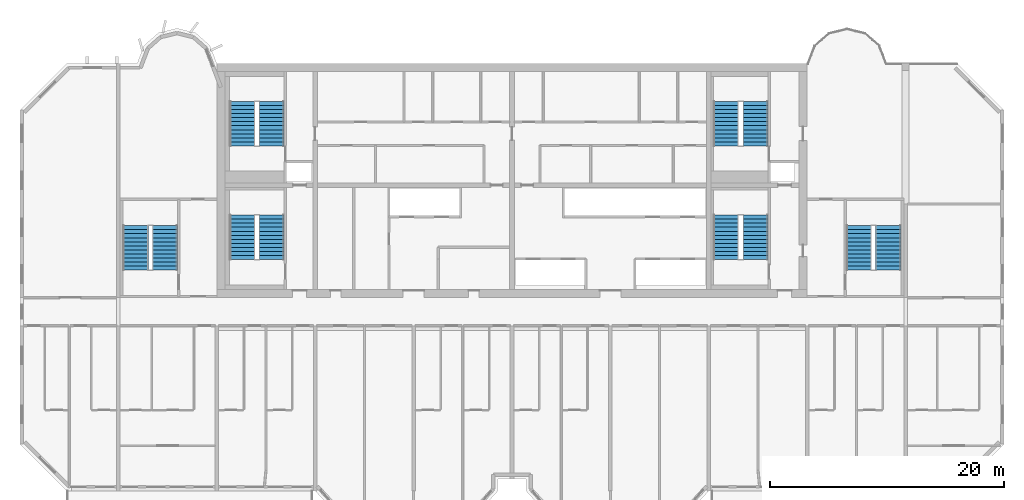
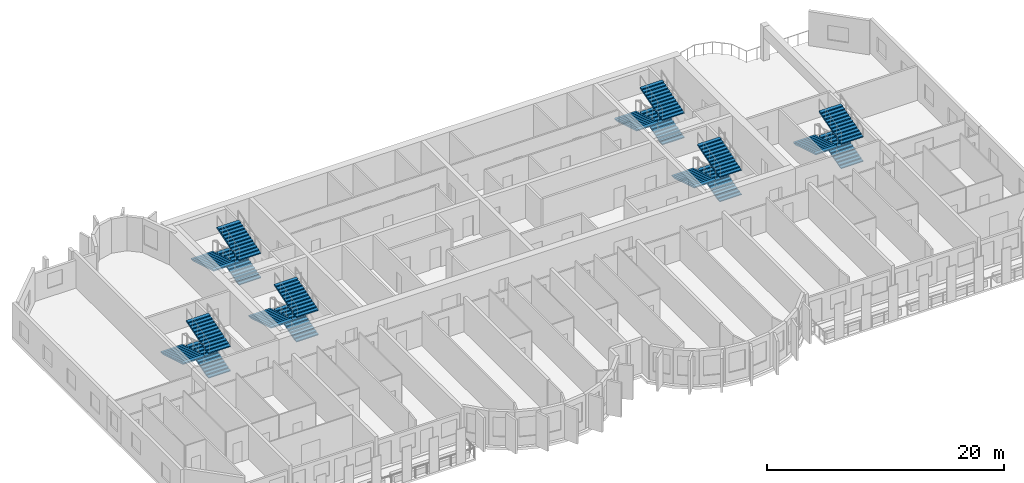
# One storey, part 10 of 13: 18 stair flights, 6 elements without a shape of their own.
"""IFC4 building model written with IfcOpenShell, lengths in metres."""

from ifc_helpers import new_model, si_unit, direction, frame, origin, place, context, subcontext, project, spatial, polyline, outline, extrude, source, transform, mapped, material, type_object, element, aggregate, save


model = new_model("IFC4")

# Units and contexts
model_context = context("Model", 3, precision=1e-05, world=origin(), true_north=direction((0.0, 1.0)))
body_context = subcontext(model_context, "Body", "Model", "MODEL_VIEW")
ifc_project = project(units=[si_unit("LENGTHUNIT", "METRE"), si_unit("AREAUNIT", "SQUARE_METRE"), si_unit("VOLUMEUNIT", "CUBIC_METRE"), si_unit("PLANEANGLEUNIT", "RADIAN"), si_unit("MASSUNIT", "GRAM", prefix="KILO")], contexts=[model_context])

# Site, building, storey
site_placement = place(None, origin())
site = spatial("IfcSite", under=ifc_project, at=site_placement, CompositionType="ELEMENT")
building_placement = place(site_placement, origin())
building = spatial("IfcBuilding", under=site, at=building_placement, Name="Vanashikhar Sky Hotel", CompositionType="ELEMENT")
storey_placement = place(building_placement, frame((0.0, 0.0, 170.60009765625)))
storey = spatial("IfcBuildingStorey", under=building, at=storey_placement, Name="L41", CompositionType="ELEMENT", Elevation=170.60009765625)

# Stair, stair flights
ifc_material = material(Name="Concrete M40", Category="concrete")
stair_type = type_object("IfcStairType", Name="Exit stair 2150", PredefinedType="DOUBLE_RETURN_STAIR", material=ifc_material)
stair_1_placement = place(storey_placement, origin())
stair_1 = element("IfcStair", 1, at=stair_1_placement, inside=storey, type_object=stair_type, Name="L41 Exit stair 1", PredefinedType="DOUBLE_RETURN_STAIR")
stair_flight_type = type_object("IfcStairFlightType", Name="Stair flight 2150", PredefinedType="STRAIGHT", material=ifc_material)
shared_shape = source(origin(), body_context, "Body", "SweptSolid", [
    extrude(outline(polyline([(0.0, 0.0), (0.0, 0.10546875), (0.345458984375, 0.10546875), (0.345458984375, 0.211181640625), (0.69091796875, 0.211181640625), (0.69091796875, 0.316650390625), (1.036376953125, 0.316650390625), (1.036376953125, 0.422119140625), (1.3818359375, 0.422119140625), (1.3818359375, 0.52783203125), (1.727294921875, 0.52783203125), (1.727294921875, 0.63330078125), (2.07275390625, 0.63330078125), (2.07275390625, 0.73876953125), (2.418212890625, 0.73876953125), (2.418212890625, 0.844482421875), (2.763671875, 0.844482421875), (2.763671875, 0.949951171875), (3.109130859375, 0.949951171875), (3.109130859375, 1.0556640625), (3.45458984375, 1.0556640625), (3.45458984375, 1.1611328125), (3.800048828125, 1.1611328125), (3.800048828125, 1.2666015625), (3.800048828125, 1.035400390625), (0.4111328125, 0.0), (0.0, 0.0)])), frame((0.0, 1.074951171875, 0.0), z_axis=(0.0, -1.0, 0.0), x_axis=(1.0, 0.0, 0.0)), (0.0, 0.0, 1.0), 2.14990234375),
])
stair_flight_1_placement = place(storey_placement, frame((29.875, 25.25, 0.0), z_axis=(0.0, 0.0, 1.0), x_axis=(0.0, 1.0, 0.0)))
stair_flight_1 = element("IfcStairFlight", 2, at=stair_flight_1_placement, type_object=stair_flight_type, Name="ST-C1 flight 1", NumberOfRisers=12, NumberOfTreads=11, PredefinedType="STRAIGHT", RiserHeight=0.105555556, TreadLength=0.345454545, context=body_context, shape_type="MappedRepresentation", body=[
    mapped(shared_shape, transform((0.0, 0.0, 0.0), scale=1.0)),
])
stair_flight_2_placement = place(storey_placement, frame((27.375, 29.050048828125, 1.2666015625), z_axis=(0.0, 0.0, 1.0), x_axis=(0.0, -1.0, 0.0)))
stair_flight_2 = element("IfcStairFlight", 3, at=stair_flight_2_placement, type_object=stair_flight_type, Name="ST-C1 flight 2", NumberOfRisers=12, NumberOfTreads=11, PredefinedType="STRAIGHT", RiserHeight=0.105555556, TreadLength=0.345454545, context=body_context, shape_type="MappedRepresentation", body=[
    mapped(shared_shape, transform((0.0, 0.0, 0.0), scale=1.0)),
])
stair_flight_3_placement = place(storey_placement, frame((29.875, 25.25, 2.533203125), z_axis=(0.0, 0.0, 1.0), x_axis=(0.0, 1.0, 0.0)))
stair_flight_3 = element("IfcStairFlight", 4, at=stair_flight_3_placement, type_object=stair_flight_type, Name="ST-C1 flight 3", NumberOfRisers=12, NumberOfTreads=11, PredefinedType="STRAIGHT", RiserHeight=0.105555556, TreadLength=0.345454545, context=body_context, shape_type="MappedRepresentation", body=[
    mapped(shared_shape, transform((0.0, 0.0, 0.0), scale=1.0)),
])
aggregate(stair_1, [stair_flight_1, stair_flight_2, stair_flight_3])

stair_2_placement = place(storey_placement, origin())
stair_2 = element("IfcStair", 5, at=stair_2_placement, inside=storey, type_object=stair_type, Name="L41 Exit stair 2", PredefinedType="DOUBLE_RETURN_STAIR")
stair_flight_4_placement = place(storey_placement, frame((71.175048828125, 25.25, 0.0), z_axis=(0.0, 0.0, 1.0), x_axis=(0.0, 1.0, 0.0)))
stair_flight_4 = element("IfcStairFlight", 6, at=stair_flight_4_placement, type_object=stair_flight_type, Name="ST-C2 flight 1", NumberOfRisers=12, NumberOfTreads=11, PredefinedType="STRAIGHT", RiserHeight=0.105555556, TreadLength=0.345454545, context=body_context, shape_type="MappedRepresentation", body=[
    mapped(shared_shape, transform((0.0, 0.0, 0.0), scale=1.0)),
])
stair_flight_5_placement = place(storey_placement, frame((68.675048828125, 29.050048828125, 1.2666015625), z_axis=(0.0, 0.0, 1.0), x_axis=(0.0, -1.0, 0.0)))
stair_flight_5 = element("IfcStairFlight", 7, at=stair_flight_5_placement, type_object=stair_flight_type, Name="ST-C2 flight 2", NumberOfRisers=12, NumberOfTreads=11, PredefinedType="STRAIGHT", RiserHeight=0.105555556, TreadLength=0.345454545, context=body_context, shape_type="MappedRepresentation", body=[
    mapped(shared_shape, transform((0.0, 0.0, 0.0), scale=1.0)),
])
stair_flight_6_placement = place(storey_placement, frame((71.175048828125, 25.25, 2.533203125), z_axis=(0.0, 0.0, 1.0), x_axis=(0.0, 1.0, 0.0)))
stair_flight_6 = element("IfcStairFlight", 8, at=stair_flight_6_placement, type_object=stair_flight_type, Name="ST-C2 flight 3", NumberOfRisers=12, NumberOfTreads=11, PredefinedType="STRAIGHT", RiserHeight=0.105555556, TreadLength=0.345454545, context=body_context, shape_type="MappedRepresentation", body=[
    mapped(shared_shape, transform((0.0, 0.0, 0.0), scale=1.0)),
])
aggregate(stair_2, [stair_flight_4, stair_flight_5, stair_flight_6])

stair_3_placement = place(storey_placement, origin())
stair_3 = element("IfcStair", 9, at=stair_3_placement, inside=storey, type_object=stair_type, Name="L41 Exit stair 3", PredefinedType="DOUBLE_RETURN_STAIR")
stair_flight_7_placement = place(storey_placement, frame((20.77490234375, 24.35009765625, 0.0), z_axis=(0.0, 0.0, 1.0), x_axis=(0.0, 1.0, 0.0)))
stair_flight_7 = element("IfcStairFlight", 10, at=stair_flight_7_placement, type_object=stair_flight_type, Name="ST-W flight 1", NumberOfRisers=12, NumberOfTreads=11, PredefinedType="STRAIGHT", RiserHeight=0.105555556, TreadLength=0.345454545, context=body_context, shape_type="MappedRepresentation", body=[
    mapped(shared_shape, transform((0.0, 0.0, 0.0), scale=1.0)),
])
stair_flight_8_placement = place(storey_placement, frame((18.27490234375, 28.14990234375, 1.2666015625), z_axis=(0.0, 0.0, 1.0), x_axis=(0.0, -1.0, 0.0)))
stair_flight_8 = element("IfcStairFlight", 11, at=stair_flight_8_placement, type_object=stair_flight_type, Name="ST-W flight 2", NumberOfRisers=12, NumberOfTreads=11, PredefinedType="STRAIGHT", RiserHeight=0.105555556, TreadLength=0.345454545, context=body_context, shape_type="MappedRepresentation", body=[
    mapped(shared_shape, transform((0.0, 0.0, 0.0), scale=1.0)),
])
stair_flight_9_placement = place(storey_placement, frame((20.77490234375, 24.35009765625, 2.533203125), z_axis=(0.0, 0.0, 1.0), x_axis=(0.0, 1.0, 0.0)))
stair_flight_9 = element("IfcStairFlight", 12, at=stair_flight_9_placement, type_object=stair_flight_type, Name="ST-W flight 3", NumberOfRisers=12, NumberOfTreads=11, PredefinedType="STRAIGHT", RiserHeight=0.105555556, TreadLength=0.345454545, context=body_context, shape_type="MappedRepresentation", body=[
    mapped(shared_shape, transform((0.0, 0.0, 0.0), scale=1.0)),
])
aggregate(stair_3, [stair_flight_7, stair_flight_8, stair_flight_9])

stair_4_placement = place(storey_placement, origin())
stair_4 = element("IfcStair", 13, at=stair_4_placement, inside=storey, type_object=stair_type, Name="L41 Exit stair 4", PredefinedType="DOUBLE_RETURN_STAIR")
stair_flight_10_placement = place(storey_placement, frame((82.52490234375, 24.35009765625, 0.0), z_axis=(0.0, 0.0, 1.0), x_axis=(0.0, 1.0, 0.0)))
stair_flight_10 = element("IfcStairFlight", 14, at=stair_flight_10_placement, type_object=stair_flight_type, Name="ST-E flight 1", NumberOfRisers=12, NumberOfTreads=11, PredefinedType="STRAIGHT", RiserHeight=0.105555556, TreadLength=0.345454545, context=body_context, shape_type="MappedRepresentation", body=[
    mapped(shared_shape, transform((0.0, 0.0, 0.0), scale=1.0)),
])
stair_flight_11_placement = place(storey_placement, frame((80.02490234375, 28.14990234375, 1.2666015625), z_axis=(0.0, 0.0, 1.0), x_axis=(0.0, -1.0, 0.0)))
stair_flight_11 = element("IfcStairFlight", 15, at=stair_flight_11_placement, type_object=stair_flight_type, Name="ST-E flight 2", NumberOfRisers=12, NumberOfTreads=11, PredefinedType="STRAIGHT", RiserHeight=0.105555556, TreadLength=0.345454545, context=body_context, shape_type="MappedRepresentation", body=[
    mapped(shared_shape, transform((0.0, 0.0, 0.0), scale=1.0)),
])
stair_flight_12_placement = place(storey_placement, frame((82.52490234375, 24.35009765625, 2.533203125), z_axis=(0.0, 0.0, 1.0), x_axis=(0.0, 1.0, 0.0)))
stair_flight_12 = element("IfcStairFlight", 16, at=stair_flight_12_placement, type_object=stair_flight_type, Name="ST-E flight 3", NumberOfRisers=12, NumberOfTreads=11, PredefinedType="STRAIGHT", RiserHeight=0.105555556, TreadLength=0.345454545, context=body_context, shape_type="MappedRepresentation", body=[
    mapped(shared_shape, transform((0.0, 0.0, 0.0), scale=1.0)),
])
aggregate(stair_4, [stair_flight_10, stair_flight_11, stair_flight_12])

stair_5_placement = place(storey_placement, origin())
stair_5 = element("IfcStair", 17, at=stair_5_placement, inside=storey, type_object=stair_type, Name="L41 Exit stair 5", PredefinedType="DOUBLE_RETURN_STAIR")
stair_flight_13_placement = place(storey_placement, frame((29.875, 34.949951171875, 0.0), z_axis=(0.0, 0.0, 1.0), x_axis=(0.0, 1.0, 0.0)))
stair_flight_13 = element("IfcStairFlight", 18, at=stair_flight_13_placement, type_object=stair_flight_type, Name="ST-C3 flight 1", NumberOfRisers=12, NumberOfTreads=11, PredefinedType="STRAIGHT", RiserHeight=0.105555556, TreadLength=0.345454545, context=body_context, shape_type="MappedRepresentation", body=[
    mapped(shared_shape, transform((0.0, 0.0, 0.0), scale=1.0)),
])
stair_flight_14_placement = place(storey_placement, frame((27.375, 38.75, 1.2666015625), z_axis=(0.0, 0.0, 1.0), x_axis=(0.0, -1.0, 0.0)))
stair_flight_14 = element("IfcStairFlight", 19, at=stair_flight_14_placement, type_object=stair_flight_type, Name="ST-C3 flight 2", NumberOfRisers=12, NumberOfTreads=11, PredefinedType="STRAIGHT", RiserHeight=0.105555556, TreadLength=0.345454545, context=body_context, shape_type="MappedRepresentation", body=[
    mapped(shared_shape, transform((0.0, 0.0, 0.0), scale=1.0)),
])
stair_flight_15_placement = place(storey_placement, frame((29.875, 34.949951171875, 2.533203125), z_axis=(0.0, 0.0, 1.0), x_axis=(0.0, 1.0, 0.0)))
stair_flight_15 = element("IfcStairFlight", 20, at=stair_flight_15_placement, type_object=stair_flight_type, Name="ST-C3 flight 3", NumberOfRisers=12, NumberOfTreads=11, PredefinedType="STRAIGHT", RiserHeight=0.105555556, TreadLength=0.345454545, context=body_context, shape_type="MappedRepresentation", body=[
    mapped(shared_shape, transform((0.0, 0.0, 0.0), scale=1.0)),
])
aggregate(stair_5, [stair_flight_13, stair_flight_14, stair_flight_15])

stair_6_placement = place(storey_placement, origin())
stair_6 = element("IfcStair", 21, at=stair_6_placement, inside=storey, type_object=stair_type, Name="L41 Exit stair 6", PredefinedType="DOUBLE_RETURN_STAIR")
stair_flight_16_placement = place(storey_placement, frame((71.175048828125, 34.949951171875, 0.0), z_axis=(0.0, 0.0, 1.0), x_axis=(0.0, 1.0, 0.0)))
stair_flight_16 = element("IfcStairFlight", 22, at=stair_flight_16_placement, type_object=stair_flight_type, Name="ST-C4 flight 1", NumberOfRisers=12, NumberOfTreads=11, PredefinedType="STRAIGHT", RiserHeight=0.105555556, TreadLength=0.345454545, context=body_context, shape_type="MappedRepresentation", body=[
    mapped(shared_shape, transform((0.0, 0.0, 0.0), scale=1.0)),
])
stair_flight_17_placement = place(storey_placement, frame((68.675048828125, 38.75, 1.2666015625), z_axis=(0.0, 0.0, 1.0), x_axis=(0.0, -1.0, 0.0)))
stair_flight_17 = element("IfcStairFlight", 23, at=stair_flight_17_placement, type_object=stair_flight_type, Name="ST-C4 flight 2", NumberOfRisers=12, NumberOfTreads=11, PredefinedType="STRAIGHT", RiserHeight=0.105555556, TreadLength=0.345454545, context=body_context, shape_type="MappedRepresentation", body=[
    mapped(shared_shape, transform((0.0, 0.0, 0.0), scale=1.0)),
])
stair_flight_18_placement = place(storey_placement, frame((71.175048828125, 34.949951171875, 2.533203125), z_axis=(0.0, 0.0, 1.0), x_axis=(0.0, 1.0, 0.0)))
stair_flight_18 = element("IfcStairFlight", 24, at=stair_flight_18_placement, type_object=stair_flight_type, Name="ST-C4 flight 3", NumberOfRisers=12, NumberOfTreads=11, PredefinedType="STRAIGHT", RiserHeight=0.105555556, TreadLength=0.345454545, context=body_context, shape_type="MappedRepresentation", body=[
    mapped(shared_shape, transform((0.0, 0.0, 0.0), scale=1.0)),
])
aggregate(stair_6, [stair_flight_16, stair_flight_17, stair_flight_18])

save(model, "model.ifc")
